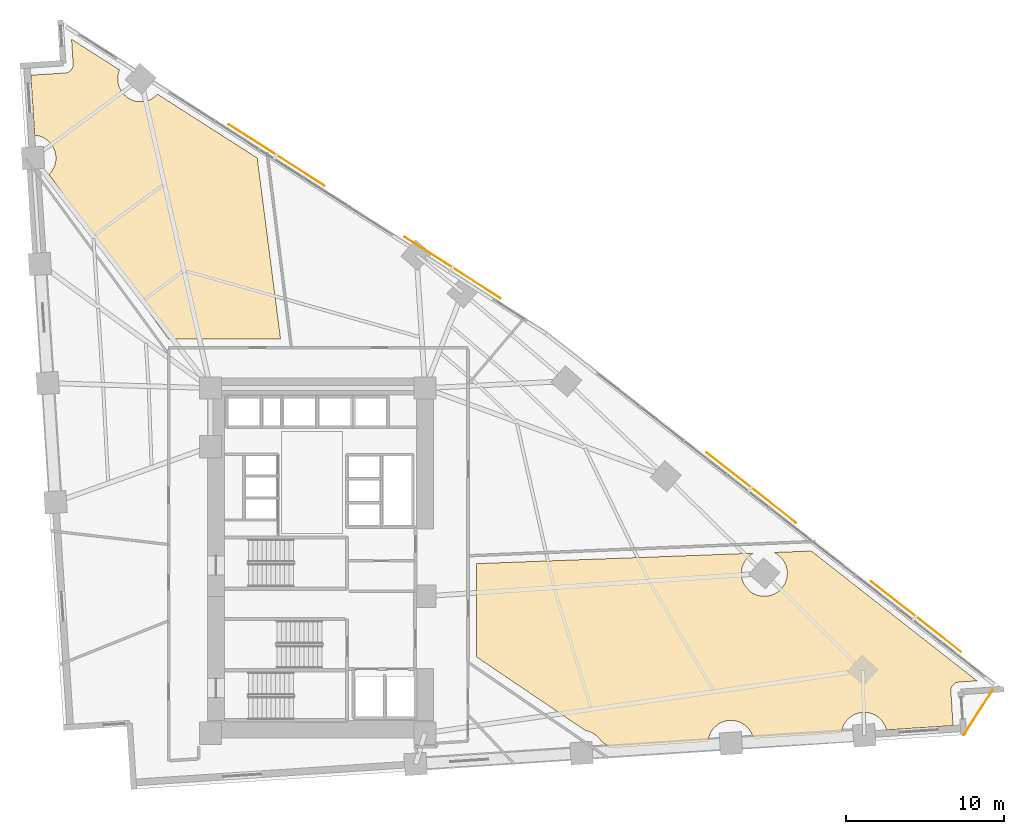
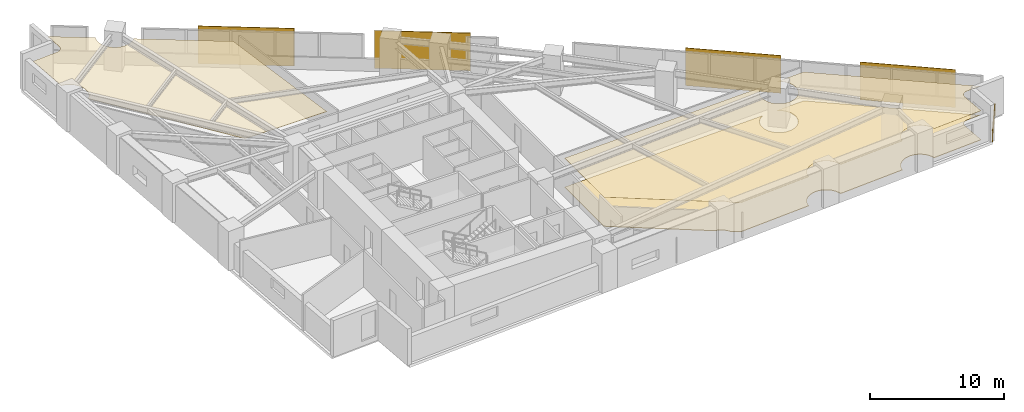
# One storey, part 16 of 16: 4 shading devices, 3 coverings, 1 railing.
"""IFC4 building model written with IfcOpenShell, lengths in metres."""

from ifc_helpers import new_model, si_unit, direction, frame, origin, origin_2d, place, context, subcontext, project, spatial, polyline, rectangle, circle, outline, extrude, material, layer, layer_set, type_object, element, save


model = new_model("IFC4")

# Units and contexts
model_context = context("Model", 3, precision=1e-05, world=origin(), true_north=direction((0.0, 1.0)))
body_context = subcontext(model_context, "Body", "Model", "MODEL_VIEW")
ifc_project = project(units=[si_unit("LENGTHUNIT", "METRE"), si_unit("AREAUNIT", "SQUARE_METRE"), si_unit("VOLUMEUNIT", "CUBIC_METRE"), si_unit("PLANEANGLEUNIT", "RADIAN"), si_unit("MASSUNIT", "GRAM", prefix="KILO")], contexts=[model_context])

# Site, building, storey
site_placement = place(None, origin())
site = spatial("IfcSite", under=ifc_project, at=site_placement, CompositionType="ELEMENT")
building_placement = place(site_placement, origin())
building = spatial("IfcBuilding", under=site, at=building_placement, Name="Narakoshi Arena Tower", CompositionType="ELEMENT")
storey_placement = place(building_placement, frame((0.0, 0.0, 81.300048828125)))
storey = spatial("IfcBuildingStorey", under=building, at=storey_placement, Name="L21", CompositionType="ELEMENT", Elevation=81.300048828125)

# Coverings
ifc_material_1 = material(Name="Acoustic mineral-fibre ceiling tile")
ifc_layer_1 = layer(ifc_material_1, 0.02001953125)
ifc_layer_set_1 = layer_set([ifc_layer_1], Name="Acoustic mineral-fibre ceiling tile")
covering_type_1 = type_object("IfcCoveringType", Name="COV-CLG-AC20", PredefinedType="CEILING", material=ifc_layer_set_1)
covering_1_placement = place(storey_placement, frame((0.0, 0.0, 2.669921875)))
element("IfcCovering", 1, at=covering_1_placement, inside=storey, type_object=covering_type_1, Name="L21 Suspended Acoustic Ceiling 1", PredefinedType="CEILING", context=body_context, shape_type="SweptSolid", body=[
    extrude(outline(polyline([(119.28564453125, 37.9287109375), (119.23193359375, 37.922607421875), (119.17919921875, 37.9111328125), (119.1279296875, 37.89453125), (119.078369140625, 37.873046875), (119.03125, 37.846923828125), (118.98681640625, 37.816162109375), (118.945556640625, 37.78125), (118.908203125, 37.742431640625), (118.87451171875, 37.7001953125), (118.84521484375, 37.65478515625), (118.820556640625, 37.606689453125), (118.80078125, 37.556640625), (118.785888671875, 37.504638671875), (118.7763671875, 37.45166015625), (118.77197265625, 37.397705078125), (118.772705078125, 37.34375), (118.91455078125, 35.18212890625), (114.706787109375, 34.90625), (114.687255859375, 34.984375), (114.63916015625, 35.118408203125), (114.578369140625, 35.2470703125), (114.505126953125, 35.369140625), (114.42041015625, 35.4833984375), (114.324951171875, 35.5888671875), (114.219482421875, 35.684326171875), (114.105224609375, 35.76904296875), (113.983154296875, 35.84228515625), (113.8544921875, 35.903076171875), (113.720458984375, 35.951171875), (113.58251953125, 35.985595703125), (113.441650390625, 36.006591796875), (113.299560546875, 36.013427734375), (113.157470703125, 36.006591796875), (113.0166015625, 35.985595703125), (112.878662109375, 35.951171875), (112.74462890625, 35.903076171875), (112.6162109375, 35.84228515625), (112.493896484375, 35.76904296875), (112.379638671875, 35.684326171875), (112.2744140625, 35.5888671875), (112.1787109375, 35.4833984375), (112.093994140625, 35.369140625), (112.020751953125, 35.2470703125), (111.9599609375, 35.118408203125), (111.912109375, 34.984375), (111.87744140625, 34.846435546875), (111.858642578125, 34.719482421875), (106.296142578125, 34.35498046875), (106.265625, 34.4775390625), (106.217529296875, 34.611572265625), (106.15673828125, 34.739990234375), (106.08349609375, 34.8623046875), (105.998779296875, 34.9765625), (105.9033203125, 35.081787109375), (105.7978515625, 35.177490234375), (105.68359375, 35.26220703125), (105.5615234375, 35.33544921875), (105.432861328125, 35.396240234375), (105.298828125, 35.444091796875), (105.160888671875, 35.478759765625), (105.02001953125, 35.49951171875), (104.8779296875, 35.506591796875), (104.73583984375, 35.49951171875), (104.59521484375, 35.478759765625), (104.45703125, 35.444091796875), (104.322998046875, 35.396240234375), (104.194580078125, 35.33544921875), (104.072509765625, 35.26220703125), (103.9580078125, 35.177490234375), (103.852783203125, 35.081787109375), (103.757080078125, 34.9765625), (103.67236328125, 34.8623046875), (103.59912109375, 34.739990234375), (103.538330078125, 34.611572265625), (103.490478515625, 34.4775390625), (103.455810546875, 34.339599609375), (103.43505859375, 34.19873046875), (103.433349609375, 34.16748046875), (97.314697265625, 33.766357421875), (96.674072265625, 34.199462890625), (96.6474609375, 34.24365234375), (96.562744140625, 34.35791015625), (96.467041015625, 34.46337890625), (96.36181640625, 34.55908203125), (96.247314453125, 34.643798828125), (96.125244140625, 34.716796875), (95.99658203125, 34.777587890625), (95.86279296875, 34.82568359375), (95.724609375, 34.860107421875), (95.68798828125, 34.86572265625), (88.815673828125, 39.510009765625), (88.815673828125, 45.413818359375), (106.290283203125, 46.069580078125), (106.184326171875, 46.006103515625), (106.070068359375, 45.92138671875), (105.964599609375, 45.82568359375), (105.868896484375, 45.720458984375), (105.7841796875, 45.606201171875), (105.711181640625, 45.48388671875), (105.650390625, 45.35546875), (105.602294921875, 45.221435546875), (105.56787109375, 45.08349609375), (105.546875, 44.942626953125), (105.539794921875, 44.800537109375), (105.546875, 44.658447265625), (105.56787109375, 44.517578125), (105.602294921875, 44.379638671875), (105.650390625, 44.24560546875), (105.711181640625, 44.116943359375), (105.7841796875, 43.994873046875), (105.868896484375, 43.880615234375), (105.964599609375, 43.775146484375), (106.070068359375, 43.6796875), (106.184326171875, 43.594970703125), (106.306396484375, 43.521728515625), (106.43505859375, 43.4609375), (106.569091796875, 43.412841796875), (106.70703125, 43.37841796875), (106.847900390625, 43.357421875), (106.989990234375, 43.3505859375), (107.132080078125, 43.357421875), (107.272705078125, 43.37841796875), (107.410888671875, 43.412841796875), (107.544921875, 43.4609375), (107.67333984375, 43.521728515625), (107.79541015625, 43.594970703125), (107.909912109375, 43.6796875), (108.01513671875, 43.775146484375), (108.11083984375, 43.880615234375), (108.195556640625, 43.994873046875), (108.268798828125, 44.116943359375), (108.32958984375, 44.24560546875), (108.37744140625, 44.379638671875), (108.412109375, 44.517578125), (108.432861328125, 44.658447265625), (108.43994140625, 44.800537109375), (108.432861328125, 44.942626953125), (108.412109375, 45.08349609375), (108.37744140625, 45.221435546875), (108.32958984375, 45.35546875), (108.268798828125, 45.48388671875), (108.195556640625, 45.606201171875), (108.11083984375, 45.720458984375), (108.01513671875, 45.82568359375), (107.909912109375, 45.92138671875), (107.79541015625, 46.006103515625), (107.67333984375, 46.079345703125), (107.590576171875, 46.118408203125), (109.951904296875, 46.20703125), (120.429931640625, 38.003662109375), (119.28564453125, 37.9287109375)])), origin(), (0.0, 0.0, 1.0), 0.02001953125),
])
ifc_material_2 = material(Name="Slatted oak acoustic timber baffle", Category="wood")
ifc_layer_2 = layer(ifc_material_2, 0.034912109375)
ifc_layer_set_2 = layer_set([ifc_layer_2], Name="Slatted oak acoustic timber baffle")
covering_type_2 = type_object("IfcCoveringType", Name="COV-CLG-WD35", PredefinedType="CEILING", material=ifc_layer_set_2)
covering_2_placement = place(storey_placement, frame((0.0, 0.0, 2.655029296875)))
element("IfcCovering", 2, at=covering_2_placement, inside=storey, type_object=covering_type_2, Name="L21 Suspended Acoustic Ceiling 2", PredefinedType="CEILING", context=body_context, shape_type="SweptSolid", body=[
    extrude(outline(polyline([(62.809326171875, 76.409423828125), (62.863037109375, 76.41552734375), (62.915771484375, 76.427001953125), (62.967041015625, 76.443603515625), (63.0166015625, 76.46484375), (63.063720703125, 76.4912109375), (63.108154296875, 76.52197265625), (63.1494140625, 76.556884765625), (63.18701171875, 76.595703125), (63.220458984375, 76.6376953125), (63.249755859375, 76.68310546875), (63.2744140625, 76.731201171875), (63.294189453125, 76.781494140625), (63.30908203125, 76.833251953125), (63.318603515625, 76.886474609375), (63.322998046875, 76.940185546875), (63.322265625, 76.994140625), (63.220703125, 78.541259765625), (66.252197265625, 76.602294921875), (66.250244140625, 76.598388671875), (66.202392578125, 76.46435546875), (66.167724609375, 76.326416015625), (66.14697265625, 76.185546875), (66.139892578125, 76.04345703125), (66.14697265625, 75.9013671875), (66.167724609375, 75.760498046875), (66.202392578125, 75.62255859375), (66.250244140625, 75.488525390625), (66.31103515625, 75.35986328125), (66.38427734375, 75.23779296875), (66.468994140625, 75.12353515625), (66.564697265625, 75.01806640625), (66.669921875, 74.922607421875), (66.7841796875, 74.837890625), (66.906494140625, 74.7646484375), (67.034912109375, 74.703857421875), (67.1689453125, 74.65576171875), (67.306884765625, 74.621337890625), (67.44775390625, 74.600341796875), (67.58984375, 74.593505859375), (67.73193359375, 74.600341796875), (67.872802734375, 74.621337890625), (68.0107421875, 74.65576171875), (68.144775390625, 74.703857421875), (68.2734375, 74.7646484375), (68.3955078125, 74.837890625), (68.509765625, 74.922607421875), (68.615234375, 75.01806640625), (68.656982421875, 75.064208984375), (74.9521484375, 71.03759765625), (76.428466796875, 59.592529296875), (69.357421875, 59.592529296875), (69.34716796875, 59.592041015625), (61.80126953125, 69.9970703125), (61.810791015625, 70.005615234375), (61.90625, 70.111083984375), (61.990966796875, 70.225341796875), (62.064208984375, 70.347412109375), (62.125, 70.47607421875), (62.173095703125, 70.610107421875), (62.20751953125, 70.748046875), (62.228515625, 70.888916015625), (62.2353515625, 71.031005859375), (62.228515625, 71.173095703125), (62.20751953125, 71.313720703125), (62.173095703125, 71.451904296875), (62.125, 71.585693359375), (62.064208984375, 71.71435546875), (61.990966796875, 71.83642578125), (61.90625, 71.95068359375), (61.810791015625, 72.05615234375), (61.705322265625, 72.15185546875), (61.591064453125, 72.236572265625), (61.468994140625, 72.309814453125), (61.34033203125, 72.37060546875), (61.206298828125, 72.41845703125), (61.068359375, 72.452880859375), (60.927490234375, 72.473876953125), (60.896240234375, 72.4755859375), (60.647705078125, 76.267578125), (62.809326171875, 76.409423828125)])), origin(), (0.0, 0.0, 1.0), 0.034912109375),
])
ifc_material_3 = material(Name="Raised steel access floor panel", Category="steel")
ifc_layer_3 = layer(ifc_material_3, 0.044921875)
ifc_layer_set_3 = layer_set([ifc_layer_3], Name="Raised steel access floor panel")
covering_type_3 = type_object("IfcCoveringType", Name="COV-FLR-RF45", PredefinedType="FLOORING", material=ifc_layer_set_3)
covering_3_placement = place(storey_placement, origin())
element("IfcCovering", 3, at=covering_3_placement, inside=storey, type_object=covering_type_3, Name="L21 Raised Steel Access Floor", PredefinedType="FLOORING", context=body_context, shape_type="SweptSolid", body=[
    extrude(outline(polyline([(119.28564453125, 37.9287109375), (119.23193359375, 37.922607421875), (119.17919921875, 37.9111328125), (119.1279296875, 37.89453125), (119.078369140625, 37.873046875), (119.03125, 37.846923828125), (118.98681640625, 37.816162109375), (118.945556640625, 37.78125), (118.908203125, 37.742431640625), (118.87451171875, 37.7001953125), (118.84521484375, 37.65478515625), (118.820556640625, 37.606689453125), (118.80078125, 37.556640625), (118.785888671875, 37.504638671875), (118.7763671875, 37.45166015625), (118.77197265625, 37.397705078125), (118.772705078125, 37.34375), (118.91455078125, 35.18212890625), (114.706787109375, 34.90625), (114.687255859375, 34.984375), (114.63916015625, 35.118408203125), (114.578369140625, 35.2470703125), (114.505126953125, 35.369140625), (114.42041015625, 35.4833984375), (114.324951171875, 35.5888671875), (114.219482421875, 35.684326171875), (114.105224609375, 35.76904296875), (113.983154296875, 35.84228515625), (113.8544921875, 35.903076171875), (113.720458984375, 35.951171875), (113.58251953125, 35.985595703125), (113.441650390625, 36.006591796875), (113.299560546875, 36.013427734375), (113.157470703125, 36.006591796875), (113.0166015625, 35.985595703125), (112.878662109375, 35.951171875), (112.74462890625, 35.903076171875), (112.6162109375, 35.84228515625), (112.493896484375, 35.76904296875), (112.379638671875, 35.684326171875), (112.2744140625, 35.5888671875), (112.1787109375, 35.4833984375), (112.093994140625, 35.369140625), (112.020751953125, 35.2470703125), (111.9599609375, 35.118408203125), (111.912109375, 34.984375), (111.87744140625, 34.846435546875), (111.858642578125, 34.719482421875), (106.296142578125, 34.35498046875), (106.265625, 34.4775390625), (106.217529296875, 34.611572265625), (106.15673828125, 34.739990234375), (106.08349609375, 34.8623046875), (105.998779296875, 34.9765625), (105.9033203125, 35.081787109375), (105.7978515625, 35.177490234375), (105.68359375, 35.26220703125), (105.5615234375, 35.33544921875), (105.432861328125, 35.396240234375), (105.298828125, 35.444091796875), (105.160888671875, 35.478759765625), (105.02001953125, 35.49951171875), (104.8779296875, 35.506591796875), (104.73583984375, 35.49951171875), (104.59521484375, 35.478759765625), (104.45703125, 35.444091796875), (104.322998046875, 35.396240234375), (104.194580078125, 35.33544921875), (104.072509765625, 35.26220703125), (103.9580078125, 35.177490234375), (103.852783203125, 35.081787109375), (103.757080078125, 34.9765625), (103.67236328125, 34.8623046875), (103.59912109375, 34.739990234375), (103.538330078125, 34.611572265625), (103.490478515625, 34.4775390625), (103.455810546875, 34.339599609375), (103.43505859375, 34.19873046875), (103.433349609375, 34.16748046875), (97.314697265625, 33.766357421875), (96.674072265625, 34.199462890625), (96.6474609375, 34.24365234375), (96.562744140625, 34.35791015625), (96.467041015625, 34.46337890625), (96.36181640625, 34.55908203125), (96.247314453125, 34.643798828125), (96.125244140625, 34.716796875), (95.99658203125, 34.777587890625), (95.86279296875, 34.82568359375), (95.724609375, 34.860107421875), (95.68798828125, 34.86572265625), (88.815673828125, 39.510009765625), (88.815673828125, 45.413818359375), (106.290283203125, 46.069580078125), (106.184326171875, 46.006103515625), (106.070068359375, 45.92138671875), (105.964599609375, 45.82568359375), (105.868896484375, 45.720458984375), (105.7841796875, 45.606201171875), (105.711181640625, 45.48388671875), (105.650390625, 45.35546875), (105.602294921875, 45.221435546875), (105.56787109375, 45.08349609375), (105.546875, 44.942626953125), (105.539794921875, 44.800537109375), (105.546875, 44.658447265625), (105.56787109375, 44.517578125), (105.602294921875, 44.379638671875), (105.650390625, 44.24560546875), (105.711181640625, 44.116943359375), (105.7841796875, 43.994873046875), (105.868896484375, 43.880615234375), (105.964599609375, 43.775146484375), (106.070068359375, 43.6796875), (106.184326171875, 43.594970703125), (106.306396484375, 43.521728515625), (106.43505859375, 43.4609375), (106.569091796875, 43.412841796875), (106.70703125, 43.37841796875), (106.847900390625, 43.357421875), (106.989990234375, 43.3505859375), (107.132080078125, 43.357421875), (107.272705078125, 43.37841796875), (107.410888671875, 43.412841796875), (107.544921875, 43.4609375), (107.67333984375, 43.521728515625), (107.79541015625, 43.594970703125), (107.909912109375, 43.6796875), (108.01513671875, 43.775146484375), (108.11083984375, 43.880615234375), (108.195556640625, 43.994873046875), (108.268798828125, 44.116943359375), (108.32958984375, 44.24560546875), (108.37744140625, 44.379638671875), (108.412109375, 44.517578125), (108.432861328125, 44.658447265625), (108.43994140625, 44.800537109375), (108.432861328125, 44.942626953125), (108.412109375, 45.08349609375), (108.37744140625, 45.221435546875), (108.32958984375, 45.35546875), (108.268798828125, 45.48388671875), (108.195556640625, 45.606201171875), (108.11083984375, 45.720458984375), (108.01513671875, 45.82568359375), (107.909912109375, 45.92138671875), (107.79541015625, 46.006103515625), (107.67333984375, 46.079345703125), (107.590576171875, 46.118408203125), (109.951904296875, 46.20703125), (120.429931640625, 38.003662109375), (119.28564453125, 37.9287109375)])), origin(), (0.0, 0.0, 1.0), 0.044921875),
])

# Railing
ifc_material_4 = material(Name="Brushed bronze stainless steel", Category="steel")
railing_type = type_object("IfcRailingType", Name="RL-GRD-1150", PredefinedType="GUARDRAIL", material=ifc_material_4)
railing_placement = place(storey_placement, frame((119.58447265625, 34.594482421875, 0.0)))
element("IfcRailing", 4, at=railing_placement, inside=storey, type_object=railing_type, Name="L21 Corner Loggia Balcony Guardrail", PredefinedType="GUARDRAIL", context=body_context, shape_type="SweptSolid", body=[
    extrude(circle(Radius=0.02392578125, at=origin_2d()), frame((0.0, 0.0, 1.1259765625), z_axis=(0.54098761477, 0.841030558699, 0.0), x_axis=(-0.841030558699, 0.54098761477, 0.0)), (0.0, 0.0, 1.0), 3.379150390625),
    extrude(circle(Radius=0.02099609375, at=origin_2d()), origin(), (0.0, 0.0, 1.0), 1.101806640625),
    extrude(circle(Radius=0.02099609375, at=origin_2d()), frame((0.609375, 0.947265625, 0.0)), (0.0, 0.0, 1.0), 1.101806640625),
    extrude(circle(Radius=0.02099609375, at=origin_2d()), frame((1.21875, 1.894775390625, 0.0)), (0.0, 0.0, 1.0), 1.101806640625),
    extrude(circle(Radius=0.02099609375, at=origin_2d()), frame((1.828125, 2.842041015625, 0.0)), (0.0, 0.0, 1.0), 1.101806640625),
])

# Shading devices
ifc_material_5 = material(Name="Perforated bronze ceramic-metal composite")
ifc_layer_4 = layer(ifc_material_5, 0.044921875)
ifc_layer_set_4 = layer_set([ifc_layer_4], Name="Perforated bronze ceramic-metal composite")
shading_device_type = type_object("IfcShadingDeviceType", Name="SHD-SCR-BRZ1", PredefinedType="USERDEFINED", material=ifc_layer_set_4)
for number, where, z_axis, x_axis, name in (
    (5, (116.560546875, 42.06494140625, 0.0), (0.0, 0.0, 1.0), (-0.787387121413, 0.616458855912, 0.0), "L21 Perforated Bronze Solar Screen 1-1"),
    (6, (106.1669921875, 50.2021484375, 0.0), (0.0, 0.0, 1.0), (-0.787387121413, 0.616458855912, 0.0), "L21 Perforated Bronze Solar Screen 1-2"),
    (7, (87.29541015625, 64.10693359375, 0.0), (0.0, 0.0, 1.0), (-0.842414781658, 0.538829597966, 0.0), "L21 Perforated Bronze Solar Screen 2-1"),
    (8, (76.17529296875, 71.219482421875, 0.0), (0.0, 0.0, 1.0), (-0.842414781658, 0.538829597966, 0.0), "L21 Perforated Bronze Solar Screen 2-2"),
):
    element("IfcShadingDevice", number, at=place(storey_placement, frame(where, z_axis=z_axis, x_axis=x_axis)), inside=storey, type_object=shading_device_type, Name=name, ObjectType="SOLAR SCREEN", PredefinedType="USERDEFINED", context=body_context, shape_type="SweptSolid", body=[
        extrude(rectangle(XDim=7.199951171875, YDim=0.044921875, at=origin_2d()), origin(), (0.0, 0.0, 1.0), 3.449951171875),
    ])

save(model, "model.ifc")
